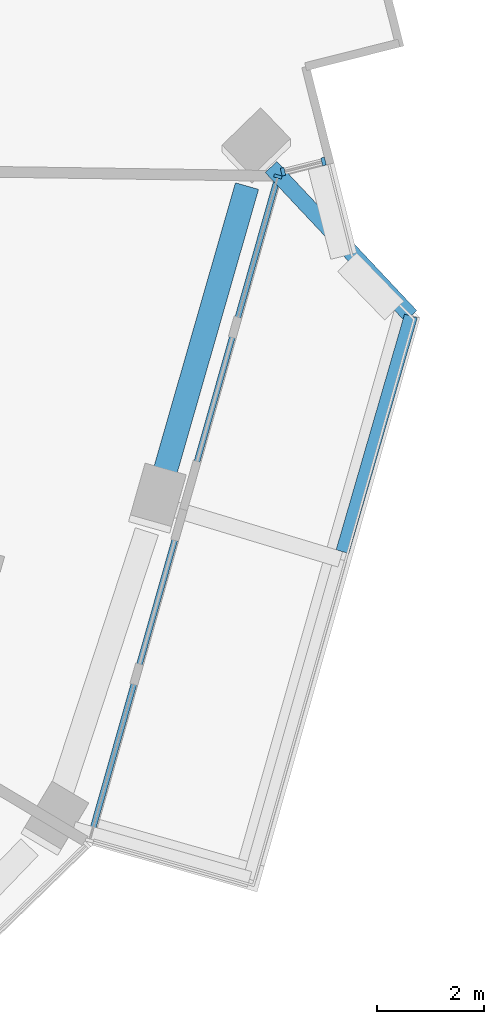
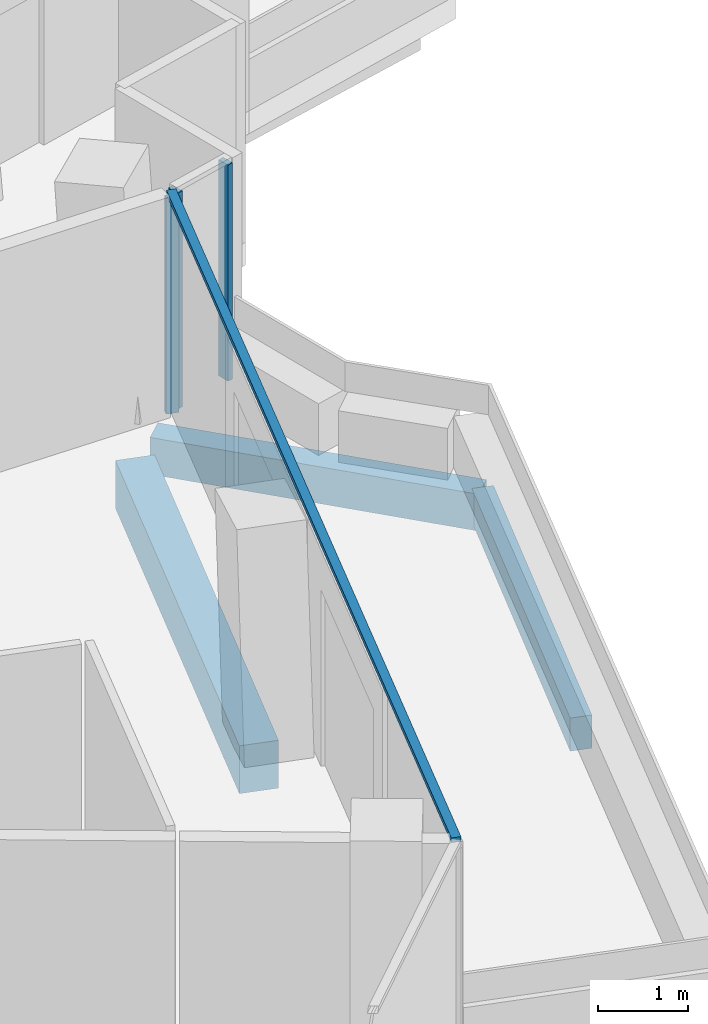
# One storey, part 6 of 24: 4 members, 3 beams, 2 elements without a shape of their own.
"""IFC4 building model written with IfcOpenShell, lengths in metres."""

from ifc_helpers import new_model, si_unit, direction, frame, origin, origin_2d, place, context, subcontext, project, spatial, rectangle, extrude, material, layer, layer_set, material_profile, profile_set, type_object, element, aggregate, save


model = new_model("IFC4")

# Units and contexts
model_context = context("Model", 3, precision=1e-05, world=origin(), true_north=direction((0.0, 1.0)))
body_context = subcontext(model_context, "Body", "Model", "MODEL_VIEW")
ifc_project = project(units=[si_unit("LENGTHUNIT", "METRE"), si_unit("AREAUNIT", "SQUARE_METRE"), si_unit("VOLUMEUNIT", "CUBIC_METRE"), si_unit("PLANEANGLEUNIT", "RADIAN"), si_unit("MASSUNIT", "GRAM", prefix="KILO")], contexts=[model_context])

# Site, building, storey
site_placement = place(None, origin())
site = spatial("IfcSite", under=ifc_project, at=site_placement, CompositionType="ELEMENT")
building_placement = place(site_placement, origin())
building = spatial("IfcBuilding", under=site, at=building_placement, Name="Verdalira Terraces Hotel", CompositionType="ELEMENT")
storey_placement = place(building_placement, frame((0.0, 0.0, 212.5)))
storey = spatial("IfcBuildingStorey", under=building, at=storey_placement, Name="L52", CompositionType="ELEMENT", Elevation=212.5)

# Beams
ifc_material_1 = material(Name="Concrete C40", Category="concrete")
ifc_material_profile_1 = material_profile(ifc_material_1, rectangle(XDim=0.300049, YDim=0.5, at=origin_2d()), Name="RC 300X500")
ifc_profile_set_1 = profile_set([ifc_material_profile_1], Name="Concrete C40")
beam_type_1 = type_object("IfcBeamType", Name="Balcony cantilever beam RC 300X500 C40", PredefinedType="BEAM", material=ifc_profile_set_1)
beam_1_placement = place(storey_placement, frame((24.902344, -0.199219, -0.560059), z_axis=(0.684548908, -0.728966935, 0.0), x_axis=(0.728966935, 0.684548908, 0.0)))
element("IfcBeam", 1, at=beam_1_placement, inside=storey, type_object=beam_type_1, Name="Balcony cantilever beam R27-3", PredefinedType="BEAM", context=body_context, shape_type="SweptSolid", body=[
    extrude(rectangle(XDim=0.300049, YDim=0.5, at=origin_2d()), origin(), (0.0, 0.0, 1.0), 3.820068),
])
ifc_material_2 = material(Name="Concrete C40", Category="concrete")
ifc_material_profile_2 = material_profile(ifc_material_2, rectangle(XDim=0.25, YDim=0.449951, at=origin_2d()), Name="RC 250X450")
ifc_profile_set_2 = profile_set([ifc_material_profile_2], Name="Concrete C40")
beam_type_2 = type_object("IfcBeamType", Name="Balcony edge beam RC 250X450 C40", PredefinedType="BEAM", material=ifc_profile_set_2)
beam_2_placement = place(storey_placement, frame((26.239014, -7.387939, -0.534912), z_axis=(0.278754759, 0.960362319, 0.0), x_axis=(-0.960362319, 0.278754759, 0.0)))
element("IfcBeam", 2, at=beam_2_placement, inside=storey, type_object=beam_type_2, Name="Balcony edge beam R27-2", PredefinedType="BEAM", context=body_context, shape_type="SweptSolid", body=[
    extrude(rectangle(XDim=0.25, YDim=0.449951, at=origin_2d()), origin(), (0.0, 0.0, 1.0), 4.585938),
])

# Curtain wall, members
ifc_material_3 = material(Name="Clear glass", Category="glass")
ifc_layer_1 = layer(ifc_material_3, 0.14990234375)
ifc_layer_set_1 = layer_set([ifc_layer_1], Name="CW1 curtain wall")
curtain_wall_type_1 = type_object("IfcCurtainWallType", Name="CW1 curtain wall", PredefinedType="NOTDEFINED", material=ifc_layer_set_1)
curtain_wall_1_placement = place(storey_placement, origin())
curtain_wall_1 = element("IfcCurtainWall", 3, at=curtain_wall_1_placement, inside=storey, type_object=curtain_wall_type_1, Name="CW1 curtain wall L52 edge 27", PredefinedType="NOTDEFINED")
ifc_material_4 = material(Name="Terracotta frame", Category="masonry")
ifc_material_profile_3 = material_profile(ifc_material_4, rectangle(XDim=0.060059, YDim=0.149902, at=origin_2d()), Name="MU 60x150")
ifc_profile_set_3 = profile_set([ifc_material_profile_3], Name="Terracotta frame")
member_type_1 = type_object("IfcMemberType", Name="CW1 mullion 60x150", PredefinedType="MULLION", material=ifc_profile_set_3)
member_1_placement = place(storey_placement, frame((25.031006, -0.376465, 0.0), z_axis=(0.0, 0.0, 1.0), x_axis=(0.272951936, 0.962027672, 0.0)))
member_1 = element("IfcMember", 4, at=member_1_placement, type_object=member_type_1, Name="CW1 mullion", PredefinedType="MULLION", context=body_context, shape_type="SweptSolid", body=[
    extrude(rectangle(XDim=0.060059, YDim=0.149902, at=origin_2d()), origin(), (0.0, 0.0, 1.0), 2.935059),
])
ifc_material_5 = material(Name="Terracotta frame", Category="masonry")
ifc_material_profile_4 = material_profile(ifc_material_5, rectangle(XDim=0.110107, YDim=0.064941, at=origin_2d()), Name="TR 65x110")
ifc_profile_set_4 = profile_set([ifc_material_profile_4], Name="Terracotta frame")
member_type_2 = type_object("IfcMemberType", Name="CW1 transom 65x110", PredefinedType="USERDEFINED", material=ifc_profile_set_4)
member_2_placement = place(storey_placement, frame((21.501709, -12.81543, 2.967529), z_axis=(0.272964105, 0.962024219, 0.0), x_axis=(-0.962024219, 0.272964105, 0.0)))
member_2 = element("IfcMember", 5, at=member_2_placement, type_object=member_type_2, Name="CW1 transom", ObjectType="TRANSOM", PredefinedType="USERDEFINED", context=body_context, shape_type="SweptSolid", body=[
    extrude(rectangle(XDim=0.110107, YDim=0.064941, at=origin_2d()), origin(), (0.0, 0.0, 1.0), 12.959961),
])
aggregate(curtain_wall_1, [member_1, member_2])

ifc_material_6 = material(Name="Clear glass", Category="glass")
ifc_layer_2 = layer(ifc_material_6, 0.14990234375)
ifc_layer_set_2 = layer_set([ifc_layer_2], Name="CW2 curtain wall")
curtain_wall_type_2 = type_object("IfcCurtainWallType", Name="CW2 curtain wall", PredefinedType="NOTDEFINED", material=ifc_layer_set_2)
curtain_wall_2_placement = place(storey_placement, origin())
curtain_wall_2 = element("IfcCurtainWall", 6, at=curtain_wall_2_placement, inside=storey, type_object=curtain_wall_type_2, Name="CW2 curtain wall L52 edge 28", PredefinedType="NOTDEFINED")
ifc_material_7 = material(Name="Terracotta frame", Category="masonry")
ifc_material_profile_5 = material_profile(ifc_material_7, rectangle(XDim=0.070068, YDim=0.149902, at=origin_2d()), Name="MU 70x150")
ifc_profile_set_5 = profile_set([ifc_material_profile_5], Name="Terracotta frame")
member_type_3 = type_object("IfcMemberType", Name="CW2 mullion 70x150", PredefinedType="MULLION", material=ifc_profile_set_5)
member_3_placement = place(storey_placement, frame((25.126953, -0.286865, 0.0), z_axis=(0.0, 0.0, 1.0), x_axis=(0.96961637, 0.244630526, 0.0)))
member_3 = element("IfcMember", 7, at=member_3_placement, type_object=member_type_3, Name="CW2 mullion", PredefinedType="MULLION", context=body_context, shape_type="SweptSolid", body=[
    extrude(rectangle(XDim=0.070068, YDim=0.149902, at=origin_2d()), origin(), (0.0, 0.0, 1.0), 2.935059),
])
member_4_placement = place(storey_placement, frame((25.883301, -0.096191, 0.0), z_axis=(0.0, 0.0, 1.0), x_axis=(0.96961637, 0.244630526, 0.0)))
member_4 = element("IfcMember", 8, at=member_4_placement, type_object=member_type_3, Name="CW2 mullion", PredefinedType="MULLION", context=body_context, shape_type="SweptSolid", body=[
    extrude(rectangle(XDim=0.070068, YDim=0.149902, at=origin_2d()), origin(), (0.0, 0.0, 1.0), 2.935059),
])
aggregate(curtain_wall_2, [member_3, member_4])

# Beam
ifc_material_8 = material(Name="Concrete C50", Category="concrete")
ifc_material_profile_6 = material_profile(ifc_material_8, rectangle(XDim=0.449951, YDim=0.649902, at=origin_2d()), Name="RC 450X650")
ifc_profile_set_6 = profile_set([ifc_material_profile_6], Name="Concrete C50")
beam_type_3 = type_object("IfcBeamType", Name="Spandrel beam RC 450X650 C50", PredefinedType="SPANDREL", material=ifc_profile_set_6)
beam_3_placement = place(storey_placement, frame((22.87915, -6.040771, -0.63501), z_axis=(0.275901869, 0.961185809, 0.0), x_axis=(-0.961185809, 0.275901869, 0.0)))
element("IfcBeam", 9, at=beam_3_placement, inside=storey, type_object=beam_type_3, Name="Spandrel beam B16", PredefinedType="SPANDREL", context=body_context, shape_type="SweptSolid", body=[
    extrude(rectangle(XDim=0.449951, YDim=0.649902, at=origin_2d()), origin(), (0.0, 0.0, 1.0), 5.706543),
])

save(model, "model.ifc")
